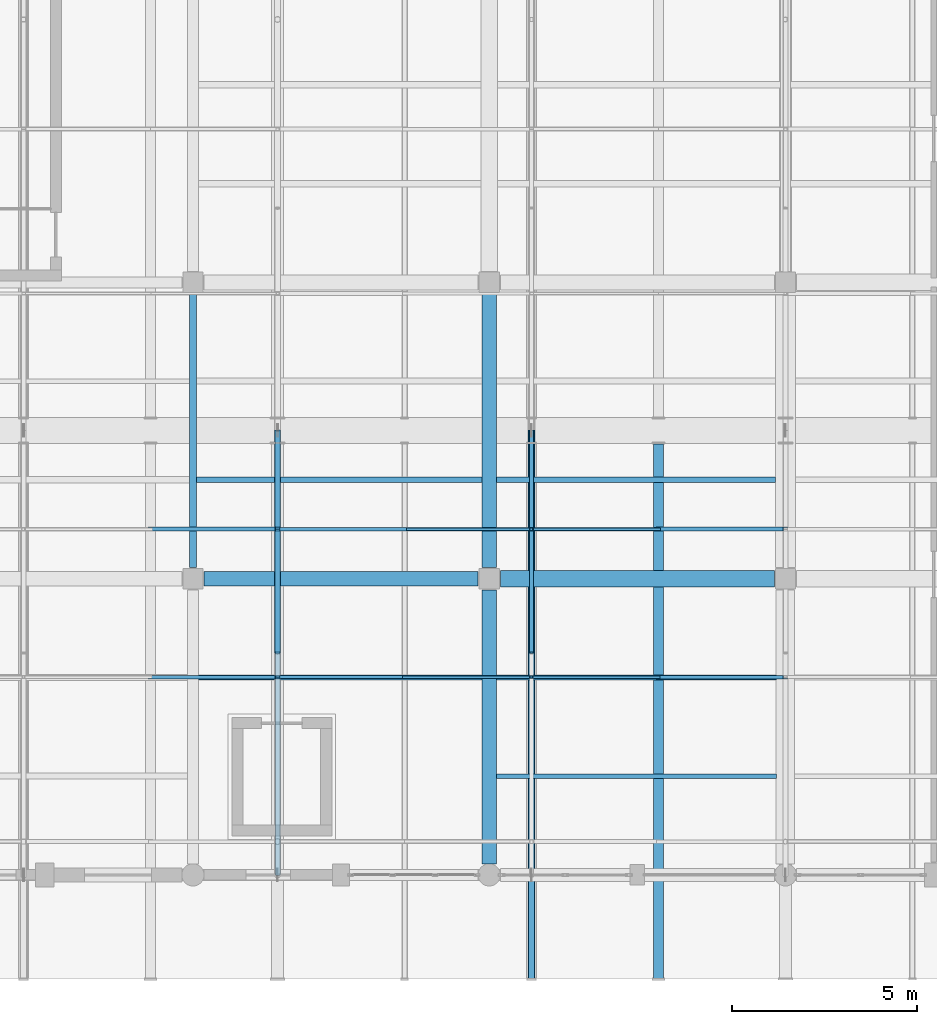
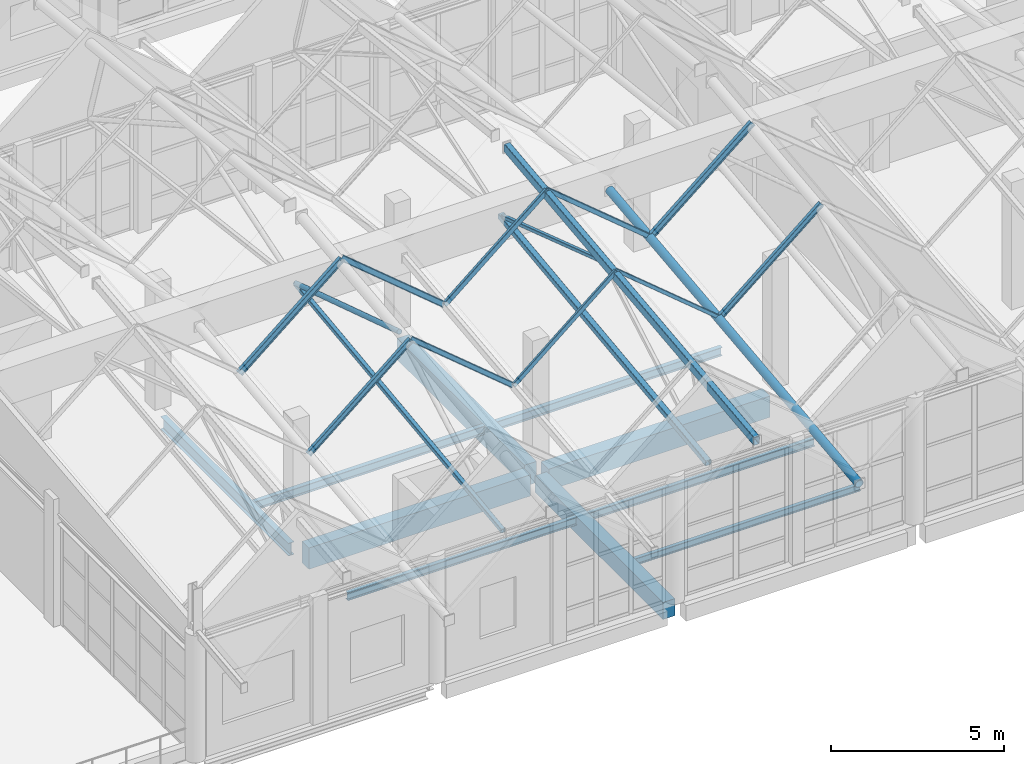
# One storey, part 72 of 183: 14 members, 12 beams.
"""IFC4 building model written with IfcOpenShell, lengths in metres."""

from ifc_helpers import new_model, si_unit, direction, frame, origin, origin_2d, place, context, subcontext, project, spatial, rectangle, hollow_rectangle, hollow_circle, i_section, extrude, material, material_profile, profile_set, type_object, element, save


model = new_model("IFC4")

# Units and contexts
model_context = context("Model", 3, precision=1e-05, world=origin(), true_north=direction((0.0, 1.0)))
body_context = subcontext(model_context, "Body", "Model", "MODEL_VIEW")
ifc_project = project(units=[si_unit("LENGTHUNIT", "METRE"), si_unit("AREAUNIT", "SQUARE_METRE"), si_unit("VOLUMEUNIT", "CUBIC_METRE"), si_unit("PLANEANGLEUNIT", "RADIAN"), si_unit("MASSUNIT", "GRAM", prefix="KILO")], contexts=[model_context])

# Site, building, storey
site_placement = place(None, origin())
site = spatial("IfcSite", under=ifc_project, at=site_placement, CompositionType="ELEMENT")
building_placement = place(site_placement, origin())
building = spatial("IfcBuilding", under=site, at=building_placement, Name="Luwemba Playhouse", CompositionType="ELEMENT")
storey_placement = place(building_placement, frame((0.0, 0.0, 4.800048828125)))
storey = spatial("IfcBuildingStorey", under=building, at=storey_placement, Name="L01", CompositionType="ELEMENT", Elevation=4.800048828125)

# Beams
ifc_material_1 = material(Name="Concrete C40/50", Category="concrete")
ifc_material_profile_1 = material_profile(ifc_material_1, rectangle(XDim=0.39990234375, YDim=0.60009765625, at=origin_2d()))
ifc_profile_set_1 = profile_set([ifc_material_profile_1], Name="Concrete C40/50")
beam_type_1 = type_object("IfcBeamType", Name="BM-RB01", PredefinedType="BEAM", material=ifc_profile_set_1)
beam_1_placement = place(storey_placement, frame((140.0, 3.300048828125, -0.550048828125), z_axis=(0.0, 1.0, 0.0), x_axis=(-1.0, 0.0, 0.0)))
element("IfcBeam", 1, at=beam_1_placement, inside=storey, type_object=beam_type_1, Name="L01 transverse girder 0549", PredefinedType="BEAM", context=body_context, shape_type="SweptSolid", body=[
    extrude(rectangle(XDim=0.39990234375, YDim=0.60009765625, at=origin_2d()), origin(), (0.0, 0.0, 1.0), 7.39990234375),
])
ifc_material_profile_2 = material_profile(ifc_material_1, rectangle(XDim=0.39990234375, YDim=0.75, at=origin_2d()))
ifc_profile_set_2 = profile_set([ifc_material_profile_2], Name="Concrete C40/50")
beam_type_2 = type_object("IfcBeamType", Name="BM-RB03", PredefinedType="BEAM", material=ifc_profile_set_2)
for number, where, z_axis, x_axis, name in (
    (2, (132.300048828125, 11.0, -0.625), (1.0, 0.0, 0.0), (0.0, 1.0, 0.0), "L01 grid girder 0526"),
    (3, (140.0, 11.300048828125, -0.625), (0.0, 1.0, 0.0), (-1.0, 0.0, 0.0), "L01 transverse girder 0550"),
):
    element("IfcBeam", number, at=place(storey_placement, frame(where, z_axis=z_axis, x_axis=x_axis)), inside=storey, type_object=beam_type_2, Name=name, PredefinedType="BEAM", context=body_context, shape_type="SweptSolid", body=[
        extrude(rectangle(XDim=0.39990234375, YDim=0.75, at=origin_2d()), origin(), (0.0, 0.0, 1.0), 7.39990234375),
    ])
ifc_material_profile_3 = material_profile(ifc_material_1, rectangle(XDim=0.449951171875, YDim=0.75, at=origin_2d()))
ifc_profile_set_3 = profile_set([ifc_material_profile_3], Name="Concrete C40/50")
beam_type_3 = type_object("IfcBeamType", Name="BM-RB04", PredefinedType="BEAM", material=ifc_profile_set_3)
beam_2_placement = place(storey_placement, frame((140.300048828125, 11.0, -0.625), z_axis=(1.0, 0.0, 0.0), x_axis=(0.0, 1.0, 0.0)))
element("IfcBeam", 4, at=beam_2_placement, inside=storey, type_object=beam_type_3, Name="L01 grid girder 0527", PredefinedType="BEAM", context=body_context, shape_type="SweptSolid", body=[
    extrude(rectangle(XDim=0.449951171875, YDim=0.75, at=origin_2d()), origin(), (0.0, 0.0, 1.0), 7.39990234375),
])
ifc_material_2 = material(Name="Steel S355", Category="steel")
ifc_material_profile_4 = material_profile(ifc_material_2, hollow_rectangle(XDim=0.199951171875, YDim=0.300048828125, WallThickness=0.012451171875, InnerFilletRadius=0.018798828125, OuterFilletRadius=0.03125, at=origin_2d()))
ifc_profile_set_4 = profile_set([ifc_material_profile_4], Name="Steel S355")
beam_type_4 = type_object("IfcBeamType", Name="BM-RTG2", PredefinedType="USERDEFINED", material=ifc_profile_set_4)
beam_3_placement = place(storey_placement, frame((141.142822265625, 0.199951171875, 6.87060546875), z_axis=(0.0, 0.993786292845, 0.111305005073), x_axis=(-1.0, 0.0, 0.0)))
element("IfcBeam", 5, at=beam_3_placement, inside=storey, type_object=beam_type_4, Name="ROOF TRUSS ridge girder 0322", ObjectType="ROOF TRUSS", PredefinedType="USERDEFINED", context=body_context, shape_type="SweptSolid", body=[
    extrude(hollow_rectangle(XDim=0.199951171875, YDim=0.300048828125, WallThickness=0.012451171875, InnerFilletRadius=0.018798828125, OuterFilletRadius=0.03125, at=origin_2d()), origin(), (0.0, 0.0, 1.0), 14.540283203125),
])
ifc_material_profile_5 = material_profile(ifc_material_2, hollow_circle(Radius=0.136474609375, WallThickness=0.012451171875, at=origin_2d()))
ifc_profile_set_5 = profile_set([ifc_material_profile_5], Name="Steel S355")
beam_type_5 = type_object("IfcBeamType", Name="BM-RTG3", PredefinedType="USERDEFINED", material=ifc_profile_set_5)
beam_4_placement = place(storey_placement, frame((144.5712890625, 0.199951171875, 4.15478515625), z_axis=(0.0, 0.993786292845, 0.111305005073), x_axis=(-1.0, 0.0, 0.0)))
element("IfcBeam", 6, at=beam_4_placement, inside=storey, type_object=beam_type_5, Name="ROOF TRUSS valley girder 0324", ObjectType="ROOF TRUSS", PredefinedType="USERDEFINED", context=body_context, shape_type="SweptSolid", body=[
    extrude(hollow_circle(Radius=0.136474609375, WallThickness=0.012451171875, at=origin_2d()), origin(), (0.0, 0.0, 1.0), 14.540283203125),
])
ifc_material_profile_6 = material_profile(ifc_material_2, i_section(OverallWidth=0.18994140625, OverallDepth=0.449951171875, WebThickness=0.009521484375, FlangeThickness=0.0146484375, FilletRadius=0.02099609375, at=origin_2d()))
ifc_profile_set_6 = profile_set([ifc_material_profile_6], Name="Steel S355")
beam_type_6 = type_object("IfcBeamType", Name="BM-SB06", PredefinedType="BEAM", material=ifc_profile_set_6)
beam_5_placement = place(storey_placement, frame((132.0, 11.300048828125, -0.47509765625), z_axis=(0.0, 1.0, 0.0), x_axis=(-1.0, 0.0, 0.0)))
element("IfcBeam", 7, at=beam_5_placement, inside=storey, type_object=beam_type_6, Name="L01 transverse girder 0547", PredefinedType="BEAM", context=body_context, shape_type="SweptSolid", body=[
    extrude(i_section(OverallWidth=0.18994140625, OverallDepth=0.449951171875, WebThickness=0.009521484375, FlangeThickness=0.0146484375, FilletRadius=0.02099609375, at=origin_2d()), origin(), (0.0, 0.0, 1.0), 7.39990234375),
])
ifc_material_profile_7 = material_profile(ifc_material_2, i_section(OverallWidth=0.1201171875, OverallDepth=0.239990234375, WebThickness=0.006103515625, FlangeThickness=0.009765625, FilletRadius=0.014892578125, at=origin_2d()))
ifc_profile_set_7 = profile_set([ifc_material_profile_7], Name="Steel S355")
beam_type_7 = type_object("IfcBeamType", Name="BM-SJ03", PredefinedType="JOIST", material=ifc_profile_set_7)
beam_6_placement = place(storey_placement, frame((140.196044921875, 5.666748046875, -0.3701171875), z_axis=(1.0, 0.0, 0.0), x_axis=(0.0, 1.0, 0.0)))
element("IfcBeam", 8, at=beam_6_placement, inside=storey, type_object=beam_type_7, Name="L01 composite floor joist 0316", PredefinedType="JOIST", context=body_context, shape_type="SweptSolid", body=[
    extrude(i_section(OverallWidth=0.1201171875, OverallDepth=0.239990234375, WebThickness=0.006103515625, FlangeThickness=0.009765625, FilletRadius=0.014892578125, at=origin_2d()), origin(), (0.0, 0.0, 1.0), 7.557861328125),
])
ifc_material_profile_8 = material_profile(ifc_material_2, i_section(OverallWidth=0.135009765625, OverallDepth=0.27001953125, WebThickness=0.006591796875, FlangeThickness=0.01025390625, FilletRadius=0.014892578125, at=origin_2d()))
ifc_profile_set_8 = profile_set([ifc_material_profile_8], Name="Steel S355")
beam_type_8 = type_object("IfcBeamType", Name="BM-SJ04", PredefinedType="JOIST", material=ifc_profile_set_8)
beam_7_placement = place(storey_placement, frame((132.14599609375, 8.333251953125, -0.385009765625), z_axis=(1.0, 0.0, 0.0), x_axis=(0.0, 1.0, 0.0)))
element("IfcBeam", 9, at=beam_7_placement, inside=storey, type_object=beam_type_8, Name="L01 composite floor joist 0311", PredefinedType="JOIST", context=body_context, shape_type="SweptSolid", body=[
    extrude(i_section(OverallWidth=0.135009765625, OverallDepth=0.27001953125, WebThickness=0.006591796875, FlangeThickness=0.01025390625, FilletRadius=0.014892578125, at=origin_2d()), origin(), (0.0, 0.0, 1.0), 7.657958984375),
])
beam_8_placement = place(storey_placement, frame((140.196044921875, 8.333251953125, -0.385009765625), z_axis=(1.0, 0.0, 0.0), x_axis=(0.0, 1.0, 0.0)))
element("IfcBeam", 10, at=beam_8_placement, inside=storey, type_object=beam_type_8, Name="L01 composite floor joist 0317", PredefinedType="JOIST", context=body_context, shape_type="SweptSolid", body=[
    extrude(i_section(OverallWidth=0.135009765625, OverallDepth=0.27001953125, WebThickness=0.006591796875, FlangeThickness=0.01025390625, FilletRadius=0.014892578125, at=origin_2d()), origin(), (0.0, 0.0, 1.0), 7.557861328125),
])
ifc_material_profile_9 = material_profile(ifc_material_2, i_section(OverallWidth=0.14990234375, OverallDepth=0.300048828125, WebThickness=0.007080078125, FlangeThickness=0.0107421875, FilletRadius=0.014892578125, at=origin_2d()))
ifc_profile_set_9 = profile_set([ifc_material_profile_9], Name="Steel S355")
beam_type_9 = type_object("IfcBeamType", Name="BM-SJ05", PredefinedType="JOIST", material=ifc_profile_set_9)
beam_9_placement = place(storey_placement, frame((132.091064453125, 13.666748046875, -0.400146484375), z_axis=(1.0, 0.0, 0.0), x_axis=(0.0, 1.0, 0.0)))
element("IfcBeam", 11, at=beam_9_placement, inside=storey, type_object=beam_type_9, Name="L01 composite floor joist 0312", PredefinedType="JOIST", context=body_context, shape_type="SweptSolid", body=[
    extrude(i_section(OverallWidth=0.14990234375, OverallDepth=0.300048828125, WebThickness=0.007080078125, FlangeThickness=0.0107421875, FilletRadius=0.014892578125, at=origin_2d()), origin(), (0.0, 0.0, 1.0), 7.712890625),
])
beam_10_placement = place(storey_placement, frame((140.196044921875, 13.666748046875, -0.400146484375), z_axis=(1.0, 0.0, 0.0), x_axis=(0.0, 1.0, 0.0)))
element("IfcBeam", 12, at=beam_10_placement, inside=storey, type_object=beam_type_9, Name="L01 composite floor joist 0318", PredefinedType="JOIST", context=body_context, shape_type="SweptSolid", body=[
    extrude(i_section(OverallWidth=0.14990234375, OverallDepth=0.300048828125, WebThickness=0.007080078125, FlangeThickness=0.0107421875, FilletRadius=0.014892578125, at=origin_2d()), origin(), (0.0, 0.0, 1.0), 7.532958984375),
])

# Members
ifc_material_profile_10 = material_profile(ifc_material_2, hollow_circle(Radius=0.084228515625, WallThickness=0.008056640625, at=origin_2d()))
ifc_profile_set_10 = profile_set([ifc_material_profile_10], Name="Steel S355")
member_type_1 = type_object("IfcMemberType", Name="MEM-MB02", PredefinedType="BRACE", material=ifc_profile_set_10)
member_1_placement = place(storey_placement, frame((134.28564453125, 15.0, 5.864013671875), z_axis=(0.0, -0.952022112225, 0.306029243432), x_axis=(1.0, 0.0, 0.0)))
element("IfcMember", 13, at=member_1_placement, inside=storey, type_object=member_type_1, Name="ROOF TRUSS web diagonal 0274", PredefinedType="BRACE", context=body_context, shape_type="SweptSolid", body=[
    extrude(hollow_circle(Radius=0.084228515625, WallThickness=0.008056640625, at=origin_2d()), origin(), (0.0, 0.0, 1.0), 6.302490234375),
])
ifc_material_profile_11 = material_profile(ifc_material_2, hollow_rectangle(XDim=0.1201171875, YDim=0.1201171875, WallThickness=0.008056640625, InnerFilletRadius=0.011962890625, OuterFilletRadius=0.02001953125, at=origin_2d()))
ifc_profile_set_11 = profile_set([ifc_material_profile_11], Name="Steel S355")
member_type_2 = type_object("IfcMemberType", Name="MEM-MB06", PredefinedType="BRACE", material=ifc_profile_set_11)
member_2_placement = place(storey_placement, frame((141.142822265625, 15.0, 5.864013671875), z_axis=(0.0, -0.949053370106, 0.315115376793), x_axis=(1.0, 0.0, 0.0)))
element("IfcMember", 14, at=member_2_placement, inside=storey, type_object=member_type_2, Name="ROOF TRUSS web diagonal 0280", PredefinedType="BRACE", context=body_context, shape_type="SweptSolid", body=[
    extrude(hollow_rectangle(XDim=0.1201171875, YDim=0.1201171875, WallThickness=0.008056640625, InnerFilletRadius=0.011962890625, OuterFilletRadius=0.02001953125, at=origin_2d()), origin(), (0.0, 0.0, 1.0), 6.322021484375),
])
ifc_material_profile_12 = material_profile(ifc_material_2, hollow_rectangle(XDim=0.14990234375, YDim=0.14990234375, WallThickness=0.010009765625, InnerFilletRadius=0.014892578125, OuterFilletRadius=0.02490234375, at=origin_2d()))
ifc_profile_set_12 = profile_set([ifc_material_profile_12], Name="Steel S355")
member_type_3 = type_object("IfcMemberType", Name="MEM-MC02", PredefinedType="CHORD", material=ifc_profile_set_12)
member_3_placement = place(storey_placement, frame((134.28564453125, 3.0, 4.39990234375), z_axis=(0.0, 0.992638950812, 0.121111161052), x_axis=(-1.0, 0.0, 0.0)))
element("IfcMember", 15, at=member_3_placement, inside=storey, type_object=member_type_3, Name="ROOF TRUSS south bottom chord 0271", PredefinedType="CHORD", context=body_context, shape_type="SweptSolid", body=[
    extrude(hollow_rectangle(XDim=0.14990234375, YDim=0.14990234375, WallThickness=0.010009765625, InnerFilletRadius=0.014892578125, OuterFilletRadius=0.02490234375, at=origin_2d()), origin(), (0.0, 0.0, 1.0), 12.0888671875),
])
ifc_material_profile_13 = material_profile(ifc_material_2, hollow_rectangle(XDim=0.199951171875, YDim=0.199951171875, WallThickness=0.012451171875, InnerFilletRadius=0.018798828125, OuterFilletRadius=0.03125, at=origin_2d()))
ifc_profile_set_13 = profile_set([ifc_material_profile_13], Name="Steel S355")
member_type_4 = type_object("IfcMemberType", Name="MEM-MC04", PredefinedType="CHORD", material=ifc_profile_set_13)
member_4_placement = place(storey_placement, frame((141.142822265625, 3.0, 4.39990234375), z_axis=(0.0, 0.992638950812, 0.121111161052), x_axis=(-1.0, 0.0, 0.0)))
element("IfcMember", 16, at=member_4_placement, inside=storey, type_object=member_type_4, Name="ROOF TRUSS south bottom chord 0277", PredefinedType="CHORD", context=body_context, shape_type="SweptSolid", body=[
    extrude(hollow_rectangle(XDim=0.199951171875, YDim=0.199951171875, WallThickness=0.012451171875, InnerFilletRadius=0.018798828125, OuterFilletRadius=0.03125, at=origin_2d()), origin(), (0.0, 0.0, 1.0), 12.0888671875),
])
ifc_material_profile_14 = material_profile(ifc_material_2, hollow_rectangle(XDim=0.080078125, YDim=0.1201171875, WallThickness=0.00634765625, InnerFilletRadius=0.009521484375, OuterFilletRadius=0.015869140625, at=origin_2d()))
ifc_profile_set_14 = profile_set([ifc_material_profile_14], Name="Steel S355")
member_type_5 = type_object("IfcMemberType", Name="MEM-MP01", PredefinedType="PURLIN", material=ifc_profile_set_14)
member_5_placement = place(storey_placement, frame((141.142822265625, 8.340087890625, 7.970458984375), z_axis=(0.768342353216, 0.0, -0.640039083381), x_axis=(0.0, 1.0, 0.0)))
element("IfcMember", 17, at=member_5_placement, inside=storey, type_object=member_type_5, Name="Pleated roof purlin 0560", PredefinedType="PURLIN", context=body_context, shape_type="SweptSolid", body=[
    extrude(hollow_rectangle(XDim=0.080078125, YDim=0.1201171875, WallThickness=0.00634765625, InnerFilletRadius=0.009521484375, OuterFilletRadius=0.015869140625, at=origin_2d()), origin(), (0.0, 0.0, 1.0), 4.462158203125),
])
ifc_material_profile_15 = material_profile(ifc_material_2, hollow_rectangle(XDim=0.10009765625, YDim=0.14990234375, WallThickness=0.008056640625, InnerFilletRadius=0.011962890625, OuterFilletRadius=0.02001953125, at=origin_2d()))
ifc_profile_set_15 = profile_set([ifc_material_profile_15], Name="Steel S355")
member_type_6 = type_object("IfcMemberType", Name="MEM-MP02", PredefinedType="PURLIN", material=ifc_profile_set_15)
member_6_placement = place(storey_placement, frame((141.142822265625, 12.3359375, 8.394775390625), z_axis=(0.768342353216, 0.0, -0.640039083381), x_axis=(0.0, 1.0, 0.0)))
element("IfcMember", 18, at=member_6_placement, inside=storey, type_object=member_type_6, Name="Pleated roof purlin 0561", PredefinedType="PURLIN", context=body_context, shape_type="SweptSolid", body=[
    extrude(hollow_rectangle(XDim=0.10009765625, YDim=0.14990234375, WallThickness=0.008056640625, InnerFilletRadius=0.011962890625, OuterFilletRadius=0.02001953125, at=origin_2d()), origin(), (0.0, 0.0, 1.0), 4.462158203125),
])
ifc_material_profile_16 = material_profile(ifc_material_2, hollow_rectangle(XDim=0.080078125, YDim=0.159912109375, WallThickness=0.00634765625, InnerFilletRadius=0.009521484375, OuterFilletRadius=0.015869140625, at=origin_2d()))
ifc_profile_set_16 = profile_set([ifc_material_profile_16], Name="Steel S355")
member_type_7 = type_object("IfcMemberType", Name="MEM-MP03", PredefinedType="PURLIN", material=ifc_profile_set_16)
member_7_placement = place(storey_placement, frame((137.71435546875, 8.340087890625, 5.094482421875), z_axis=(0.768315447045, 0.0, 0.640071381826), x_axis=(0.0, 1.0, 0.0)))
element("IfcMember", 19, at=member_7_placement, inside=storey, type_object=member_type_7, Name="Pleated roof purlin 0554", PredefinedType="PURLIN", context=body_context, shape_type="SweptSolid", body=[
    extrude(hollow_rectangle(XDim=0.080078125, YDim=0.159912109375, WallThickness=0.00634765625, InnerFilletRadius=0.009521484375, OuterFilletRadius=0.015869140625, at=origin_2d()), origin(), (0.0, 0.0, 1.0), 4.46240234375),
])
ifc_material_profile_17 = material_profile(ifc_material_2, hollow_rectangle(XDim=0.10009765625, YDim=0.179931640625, WallThickness=0.008056640625, InnerFilletRadius=0.011962890625, OuterFilletRadius=0.02001953125, at=origin_2d()))
ifc_profile_set_17 = profile_set([ifc_material_profile_17], Name="Steel S355")
member_type_8 = type_object("IfcMemberType", Name="MEM-MP04", PredefinedType="PURLIN", material=ifc_profile_set_17)
member_8_placement = place(storey_placement, frame((137.71435546875, 12.3359375, 5.52392578125), z_axis=(0.768342353216, 0.0, 0.640039083381), x_axis=(0.0, 1.0, 0.0)))
element("IfcMember", 20, at=member_8_placement, inside=storey, type_object=member_type_8, Name="Pleated roof purlin 0555", PredefinedType="PURLIN", context=body_context, shape_type="SweptSolid", body=[
    extrude(hollow_rectangle(XDim=0.10009765625, YDim=0.179931640625, WallThickness=0.008056640625, InnerFilletRadius=0.011962890625, OuterFilletRadius=0.02001953125, at=origin_2d()), origin(), (0.0, 0.0, 1.0), 4.462158203125),
])
ifc_material_profile_18 = material_profile(ifc_material_2, i_section(OverallWidth=0.08203125, OverallDepth=0.159912109375, WebThickness=0.0048828125, FlangeThickness=0.00732421875, FilletRadius=0.009033203125, at=origin_2d()))
ifc_profile_set_18 = profile_set([ifc_material_profile_18], Name="Steel S355")
member_type_9 = type_object("IfcMemberType", Name="MEM-MP05", PredefinedType="PURLIN", material=ifc_profile_set_18)
member_9_placement = place(storey_placement, frame((134.28564453125, 8.340087890625, 7.94970703125), z_axis=(0.768364765209, 0.0, -0.640012177685), x_axis=(0.0, 1.0, 0.0)))
element("IfcMember", 21, at=member_9_placement, inside=storey, type_object=member_type_9, Name="Pleated roof purlin 0548", PredefinedType="PURLIN", context=body_context, shape_type="SweptSolid", body=[
    extrude(i_section(OverallWidth=0.08203125, OverallDepth=0.159912109375, WebThickness=0.0048828125, FlangeThickness=0.00732421875, FilletRadius=0.009033203125, at=origin_2d()), origin(), (0.0, 0.0, 1.0), 4.46240234375),
])
ifc_material_profile_19 = material_profile(ifc_material_2, i_section(OverallWidth=0.091064453125, OverallDepth=0.179931640625, WebThickness=0.00537109375, FlangeThickness=0.008056640625, FilletRadius=0.009033203125, at=origin_2d()))
ifc_profile_set_19 = profile_set([ifc_material_profile_19], Name="Steel S355")
member_type_10 = type_object("IfcMemberType", Name="MEM-MP06", PredefinedType="PURLIN", material=ifc_profile_set_19)
member_10_placement = place(storey_placement, frame((134.28564453125, 12.3359375, 8.383544921875), z_axis=(0.768364765209, 0.0, -0.640012177685), x_axis=(0.0, 1.0, 0.0)))
element("IfcMember", 22, at=member_10_placement, inside=storey, type_object=member_type_10, Name="Pleated roof purlin 0549", PredefinedType="PURLIN", context=body_context, shape_type="SweptSolid", body=[
    extrude(i_section(OverallWidth=0.091064453125, OverallDepth=0.179931640625, WebThickness=0.00537109375, FlangeThickness=0.008056640625, FilletRadius=0.009033203125, at=origin_2d()), origin(), (0.0, 0.0, 1.0), 4.46240234375),
])
ifc_material_profile_20 = material_profile(ifc_material_2, i_section(OverallWidth=0.10009765625, OverallDepth=0.199951171875, WebThickness=0.005615234375, FlangeThickness=0.008544921875, FilletRadius=0.011962890625, at=origin_2d()))
ifc_profile_set_20 = profile_set([ifc_material_profile_20], Name="Steel S355")
member_type_11 = type_object("IfcMemberType", Name="MEM-MP07", PredefinedType="PURLIN", material=ifc_profile_set_20)
for number, where, z_axis, x_axis, name in (
    (23, (130.857177734375, 8.340087890625, 5.066162109375), (0.768315447045, 0.0, 0.640071381826), (0.0, 1.0, 0.0), "Pleated roof purlin 0542"),
    (24, (144.5712890625, 8.340087890625, 5.066162109375), (0.768337860515, 0.0, 0.640044476657), (0.0, 1.0, 0.0), "Pleated roof purlin 0566"),
):
    element("IfcMember", number, at=place(storey_placement, frame(where, z_axis=z_axis, x_axis=x_axis)), inside=storey, type_object=member_type_11, Name=name, PredefinedType="PURLIN", context=body_context, shape_type="SweptSolid", body=[
        extrude(i_section(OverallWidth=0.10009765625, OverallDepth=0.199951171875, WebThickness=0.005615234375, FlangeThickness=0.008544921875, FilletRadius=0.011962890625, at=origin_2d()), origin(), (0.0, 0.0, 1.0), 4.46240234375),
    ])
ifc_material_profile_21 = material_profile(ifc_material_2, i_section(OverallWidth=0.110107421875, OverallDepth=0.219970703125, WebThickness=0.005859375, FlangeThickness=0.00927734375, FilletRadius=0.011962890625, at=origin_2d()))
ifc_profile_set_21 = profile_set([ifc_material_profile_21], Name="Steel S355")
member_type_12 = type_object("IfcMemberType", Name="MEM-MP08", PredefinedType="PURLIN", material=ifc_profile_set_21)
member_11_placement = place(storey_placement, frame((130.857177734375, 12.3359375, 5.499755859375), z_axis=(0.768342353216, 0.0, 0.640039083381), x_axis=(0.0, 1.0, 0.0)))
element("IfcMember", 25, at=member_11_placement, inside=storey, type_object=member_type_12, Name="Pleated roof purlin 0543", PredefinedType="PURLIN", context=body_context, shape_type="SweptSolid", body=[
    extrude(i_section(OverallWidth=0.110107421875, OverallDepth=0.219970703125, WebThickness=0.005859375, FlangeThickness=0.00927734375, FilletRadius=0.011962890625, at=origin_2d()), origin(), (0.0, 0.0, 1.0), 4.462158203125),
])
member_12_placement = place(storey_placement, frame((144.5712890625, 12.3359375, 5.499755859375), z_axis=(0.768364765209, 0.0, 0.640012177685), x_axis=(0.0, 1.0, 0.0)))
element("IfcMember", 26, at=member_12_placement, inside=storey, type_object=member_type_12, Name="Pleated roof purlin 0567", PredefinedType="PURLIN", context=body_context, shape_type="SweptSolid", body=[
    extrude(i_section(OverallWidth=0.110107421875, OverallDepth=0.219970703125, WebThickness=0.005859375, FlangeThickness=0.00927734375, FilletRadius=0.011962890625, at=origin_2d()), origin(), (0.0, 0.0, 1.0), 4.46240234375),
])

save(model, "model.ifc")
